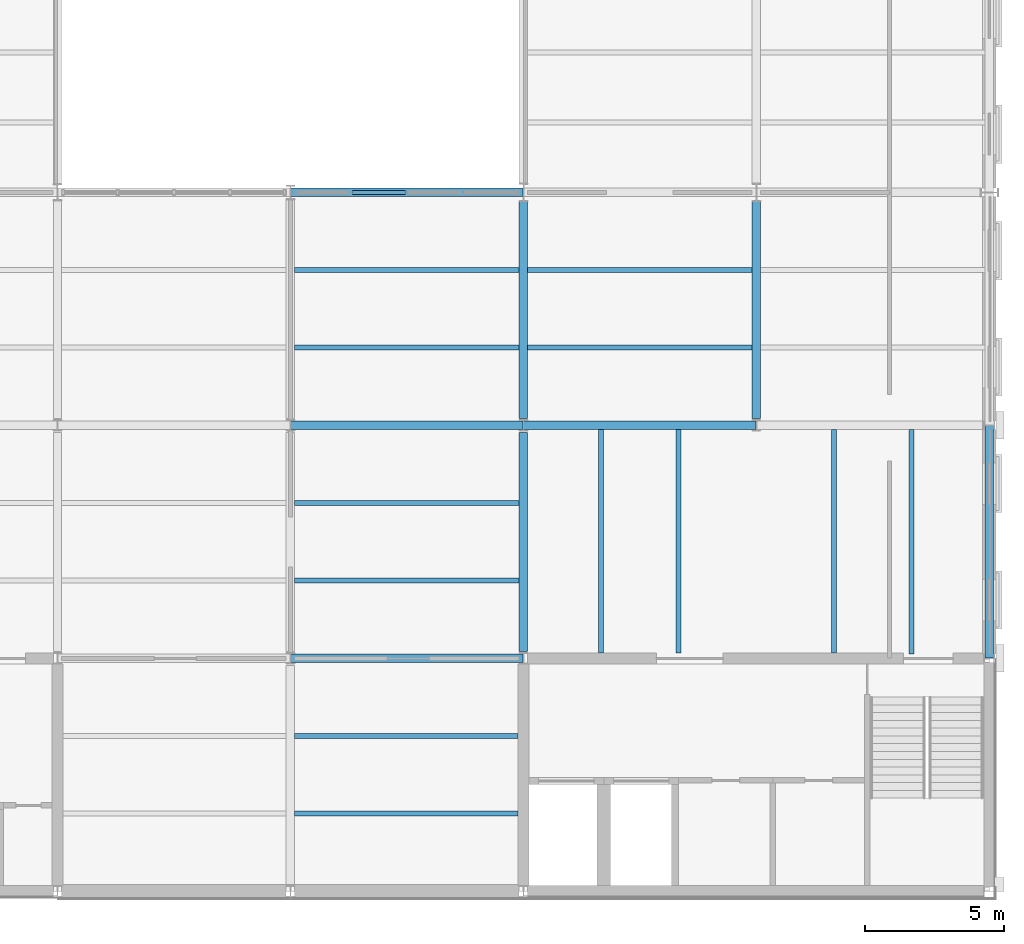
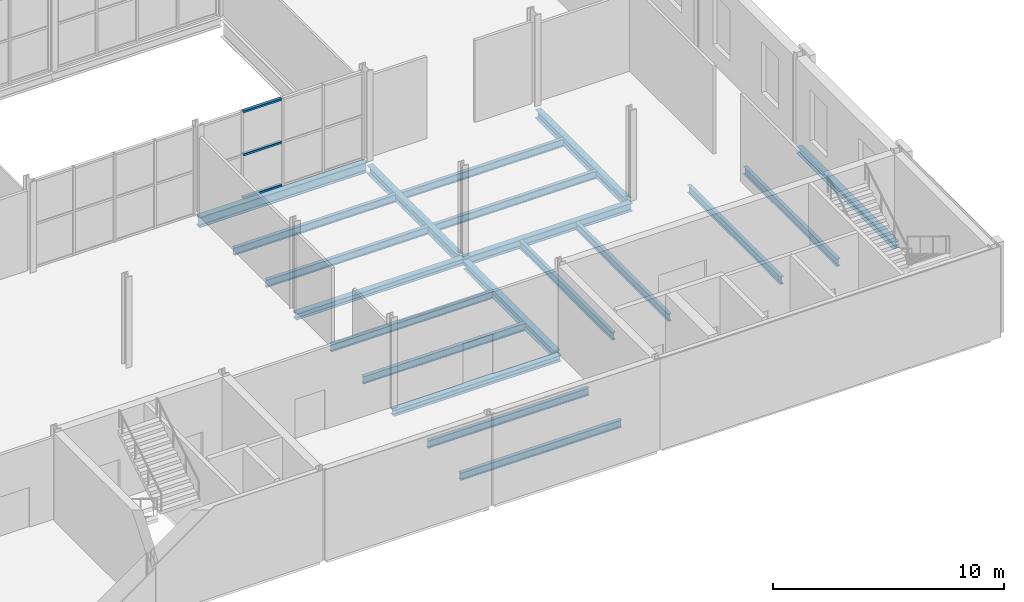
# One storey, part 19 of 52: 20 beams, 3 members, 1 element without a shape of its own.
"""IFC4 building model written with IfcOpenShell, lengths in metres."""

from ifc_helpers import new_model, si_unit, direction, frame, origin, origin_2d, place, context, subcontext, project, spatial, hollow_rectangle, i_section, extrude, material, layer, layer_set, material_profile, profile_set, type_object, element, aggregate, save


model = new_model("IFC4")

# Units and contexts
model_context = context("Model", 3, precision=1e-05, world=origin(), true_north=direction((0.0, 1.0)))
body_context = subcontext(model_context, "Body", "Model", "MODEL_VIEW")
ifc_project = project(units=[si_unit("LENGTHUNIT", "METRE"), si_unit("AREAUNIT", "SQUARE_METRE"), si_unit("VOLUMEUNIT", "CUBIC_METRE"), si_unit("PLANEANGLEUNIT", "RADIAN"), si_unit("MASSUNIT", "GRAM", prefix="KILO")], contexts=[model_context])

# Site, building, storey
site_placement = place(None, origin())
site = spatial("IfcSite", under=ifc_project, at=site_placement, CompositionType="ELEMENT")
building_placement = place(site_placement, origin())
building = spatial("IfcBuilding", under=site, at=building_placement, Name="Galleria Vessillo Department Store", CompositionType="ELEMENT")
storey_placement = place(building_placement, frame((0.0, 0.0, 16.199951171875)))
storey = spatial("IfcBuildingStorey", under=building, at=storey_placement, Name="L03", CompositionType="ELEMENT", Elevation=16.199951171875)

# Beams
ifc_material_1 = material(Name="Steel S355 J2", Category="steel")
ifc_material_profile_1 = material_profile(ifc_material_1, i_section(OverallWidth=0.300048828125, OverallDepth=0.43994140625, WebThickness=0.011474609375, FlangeThickness=0.02099609375, FilletRadius=0.027099609375, at=origin_2d()), Name="HEA 450")
ifc_profile_set_1 = profile_set([ifc_material_profile_1], Name="Steel S355 J2")
beam_type_1 = type_object("IfcBeamType", Name="Floor girder HEA 450", PredefinedType="BEAM", material=ifc_profile_set_1)
beam_1_placement = place(storey_placement, frame((100.807373046875, 16.800048828125, -0.369873046875), z_axis=(1.0, 0.0, 0.0), x_axis=(0.0, 1.0, 0.0)))
element("IfcBeam", 1, at=beam_1_placement, inside=storey, type_object=beam_type_1, Name="S-BM-L03-GI-x16800-100807", PredefinedType="BEAM", context=body_context, shape_type="SweptSolid", body=[
    extrude(i_section(OverallWidth=0.300048828125, OverallDepth=0.43994140625, WebThickness=0.011474609375, FlangeThickness=0.02099609375, FilletRadius=0.027099609375, at=origin_2d()), origin(), (0.0, 0.0, 1.0), 8.38525390625),
])
beam_2_placement = place(storey_placement, frame((100.800048828125, 8.650146484375, -0.369873046875), z_axis=(0.0, 1.0, 0.0), x_axis=(-1.0, 0.0, 0.0)))
element("IfcBeam", 2, at=beam_2_placement, inside=storey, type_object=beam_type_1, Name="S-BM-L03-GI-y100800-8650", PredefinedType="BEAM", context=body_context, shape_type="SweptSolid", body=[
    extrude(i_section(OverallWidth=0.300048828125, OverallDepth=0.43994140625, WebThickness=0.011474609375, FlangeThickness=0.02099609375, FilletRadius=0.027099609375, at=origin_2d()), origin(), (0.0, 0.0, 1.0), 7.899658203125),
])
for number, where, z_axis, x_axis, name in (
    (3, (100.800048828125, 17.050048828125, -0.369873046875), (0.0, 1.0, 0.0), (-1.0, 0.0, 0.0), "S-BM-L03-GI-y100800-17050"),
    (4, (109.199951171875, 17.050048828125, -0.369873046875), (0.0, 1.0, 0.0), (-1.0, 0.0, 0.0), "S-BM-L03-GI-y109200-17050"),
):
    element("IfcBeam", number, at=place(storey_placement, frame(where, z_axis=z_axis, x_axis=x_axis)), inside=storey, type_object=beam_type_1, Name=name, PredefinedType="BEAM", context=body_context, shape_type="SweptSolid", body=[
        extrude(i_section(OverallWidth=0.300048828125, OverallDepth=0.43994140625, WebThickness=0.011474609375, FlangeThickness=0.02099609375, FilletRadius=0.027099609375, at=origin_2d()), origin(), (0.0, 0.0, 1.0), 7.81591796875),
    ])
ifc_material_2 = material(Name="Steel S355 J2", Category="steel")
ifc_material_profile_2 = material_profile(ifc_material_2, i_section(OverallWidth=0.179931640625, OverallDepth=0.39990234375, WebThickness=0.008544921875, FlangeThickness=0.013427734375, FilletRadius=0.02099609375, at=origin_2d()), Name="IPE 400")
ifc_profile_set_2 = profile_set([ifc_material_profile_2], Name="Steel S355 J2")
beam_type_2 = type_object("IfcBeamType", Name="Floor joist IPE 400", PredefinedType="JOIST", material=ifc_profile_set_2)
for number, where, z_axis, x_axis, name in (
    (5, (92.550048828125, 2.800048828125, -0.349853515625), (1.0, 0.0, 0.0), (0.0, 1.0, 0.0), "S-BM-L03-JO-x2800-92550"),
    (6, (92.550048828125, 5.60009765625, -0.349853515625), (1.0, 0.0, 0.0), (0.0, 1.0, 0.0), "S-BM-L03-JO-x5600-92550"),
):
    element("IfcBeam", number, at=place(storey_placement, frame(where, z_axis=z_axis, x_axis=x_axis)), inside=storey, type_object=beam_type_2, Name=name, PredefinedType="JOIST", context=body_context, shape_type="SweptSolid", body=[
        extrude(i_section(OverallWidth=0.179931640625, OverallDepth=0.39990234375, WebThickness=0.008544921875, FlangeThickness=0.013427734375, FilletRadius=0.02099609375, at=origin_2d()), origin(), (0.0, 0.0, 1.0), 8.0498046875),
    ])
for number, where, z_axis, x_axis, name in (
    (7, (92.550048828125, 11.199951171875, -0.349853515625), (1.0, 0.0, 0.0), (0.0, 1.0, 0.0), "S-BM-L03-JO-x11200-92550"),
    (8, (92.550048828125, 14.0, -0.349853515625), (1.0, 0.0, 0.0), (0.0, 1.0, 0.0), "S-BM-L03-JO-x14000-92550"),
    (9, (92.550048828125, 19.60009765625, -0.349853515625), (1.0, 0.0, 0.0), (0.0, 1.0, 0.0), "S-BM-L03-JO-x19600-92550"),
    (10, (92.550048828125, 22.39990234375, -0.349853515625), (1.0, 0.0, 0.0), (0.0, 1.0, 0.0), "S-BM-L03-JO-x22400-92550"),
):
    element("IfcBeam", number, at=place(storey_placement, frame(where, z_axis=z_axis, x_axis=x_axis)), inside=storey, type_object=beam_type_2, Name=name, PredefinedType="JOIST", context=body_context, shape_type="SweptSolid", body=[
        extrude(i_section(OverallWidth=0.179931640625, OverallDepth=0.39990234375, WebThickness=0.008544921875, FlangeThickness=0.013427734375, FilletRadius=0.02099609375, at=origin_2d()), origin(), (0.0, 0.0, 1.0), 8.099853515625),
    ])
for number, where, z_axis, x_axis, name in (
    (11, (103.60009765625, 8.60009765625, -0.349853515625), (0.0, 1.0, 0.0), (-1.0, 0.0, 0.0), "S-BM-L03-JO-y103600-8600"),
    (12, (106.39990234375, 8.60009765625, -0.349853515625), (0.0, 1.0, 0.0), (-1.0, 0.0, 0.0), "S-BM-L03-JO-y106400-8600"),
):
    element("IfcBeam", number, at=place(storey_placement, frame(where, z_axis=z_axis, x_axis=x_axis)), inside=storey, type_object=beam_type_2, Name=name, PredefinedType="JOIST", context=body_context, shape_type="SweptSolid", body=[
        extrude(i_section(OverallWidth=0.179931640625, OverallDepth=0.39990234375, WebThickness=0.008544921875, FlangeThickness=0.013427734375, FilletRadius=0.02099609375, at=origin_2d()), origin(), (0.0, 0.0, 1.0), 8.0498046875),
    ])
for number, where, z_axis, x_axis, name in (
    (13, (100.9501953125, 19.60009765625, -0.349853515625), (1.0, 0.0, 0.0), (0.0, 1.0, 0.0), "S-BM-L03-JO-x19600-100950"),
    (14, (100.9501953125, 22.39990234375, -0.349853515625), (1.0, 0.0, 0.0), (0.0, 1.0, 0.0), "S-BM-L03-JO-x22400-100950"),
):
    element("IfcBeam", number, at=place(storey_placement, frame(where, z_axis=z_axis, x_axis=x_axis)), inside=storey, type_object=beam_type_2, Name=name, PredefinedType="JOIST", context=body_context, shape_type="SweptSolid", body=[
        extrude(i_section(OverallWidth=0.179931640625, OverallDepth=0.39990234375, WebThickness=0.008544921875, FlangeThickness=0.013427734375, FilletRadius=0.02099609375, at=origin_2d()), origin(), (0.0, 0.0, 1.0), 8.099609375),
    ])
beam_3_placement = place(storey_placement, frame((112.0, 8.60009765625, -0.349853515625), z_axis=(0.0, 1.0, 0.0), x_axis=(-1.0, 0.0, 0.0)))
element("IfcBeam", 15, at=beam_3_placement, inside=storey, type_object=beam_type_2, Name="S-BM-L03-JO-y112000-8600", PredefinedType="JOIST", context=body_context, shape_type="SweptSolid", body=[
    extrude(i_section(OverallWidth=0.179931640625, OverallDepth=0.39990234375, WebThickness=0.008544921875, FlangeThickness=0.013427734375, FilletRadius=0.02099609375, at=origin_2d()), origin(), (0.0, 0.0, 1.0), 8.0498046875),
])
beam_4_placement = place(storey_placement, frame((114.800048828125, 8.550048828125, -0.349853515625), z_axis=(0.0, 1.0, 0.0), x_axis=(-1.0, 0.0, 0.0)))
element("IfcBeam", 16, at=beam_4_placement, inside=storey, type_object=beam_type_2, Name="S-BM-L03-JO-y114800-8550", PredefinedType="JOIST", context=body_context, shape_type="SweptSolid", body=[
    extrude(i_section(OverallWidth=0.179931640625, OverallDepth=0.39990234375, WebThickness=0.008544921875, FlangeThickness=0.013427734375, FilletRadius=0.02099609375, at=origin_2d()), origin(), (0.0, 0.0, 1.0), 8.099853515625),
])
ifc_material_3 = material(Name="Steel S355 J2", Category="steel")
ifc_material_profile_3 = material_profile(ifc_material_3, i_section(OverallWidth=0.300048828125, OverallDepth=0.330078125, WebThickness=0.009521484375, FlangeThickness=0.0166015625, FilletRadius=0.027099609375, at=origin_2d()), Name="HEA 340")
ifc_profile_set_3 = profile_set([ifc_material_profile_3], Name="Steel S355 J2")
beam_type_3 = type_object("IfcBeamType", Name="Floor tie girder HEA 340", PredefinedType="BEAM", material=ifc_profile_set_3)
for number, where, z_axis, x_axis, name in (
    (17, (92.407470703125, 8.39990234375, -0.31494140625), (1.0, 0.0, 0.0), (0.0, 1.0, 0.0), "S-BM-L03-TI-x8400-92407"),
    (18, (92.407470703125, 16.800048828125, -0.31494140625), (1.0, 0.0, 0.0), (0.0, 1.0, 0.0), "S-BM-L03-TI-x16800-92407"),
):
    element("IfcBeam", number, at=place(storey_placement, frame(where, z_axis=z_axis, x_axis=x_axis)), inside=storey, type_object=beam_type_3, Name=name, PredefinedType="BEAM", context=body_context, shape_type="SweptSolid", body=[
        extrude(i_section(OverallWidth=0.300048828125, OverallDepth=0.330078125, WebThickness=0.009521484375, FlangeThickness=0.0166015625, FilletRadius=0.027099609375, at=origin_2d()), origin(), (0.0, 0.0, 1.0), 8.38525390625),
    ])
ifc_material_4 = material(Name="Steel S355 J2", Category="steel")
ifc_material_profile_4 = material_profile(ifc_material_4, i_section(OverallWidth=0.300048828125, OverallDepth=0.35009765625, WebThickness=0.010009765625, FlangeThickness=0.017578125, FilletRadius=0.027099609375, at=origin_2d()), Name="HEA 360")
ifc_profile_set_4 = profile_set([ifc_material_profile_4], Name="Steel S355 J2")
beam_type_4 = type_object("IfcBeamType", Name="Spandrel beam HEA 360", PredefinedType="SPANDREL", material=ifc_profile_set_4)
beam_5_placement = place(storey_placement, frame((117.60009765625, 8.407470703125, -0.324951171875), z_axis=(0.0, 1.0, 0.0), x_axis=(-1.0, 0.0, 0.0)))
element("IfcBeam", 19, at=beam_5_placement, inside=storey, type_object=beam_type_4, Name="S-BM-L03-SP-y117600-8407", PredefinedType="SPANDREL", context=body_context, shape_type="SweptSolid", body=[
    extrude(i_section(OverallWidth=0.300048828125, OverallDepth=0.35009765625, WebThickness=0.010009765625, FlangeThickness=0.017578125, FilletRadius=0.027099609375, at=origin_2d()), origin(), (0.0, 0.0, 1.0), 8.38525390625),
])

# Curtain wall, members
ifc_material_5 = material(Name="Steel and fire-resisting glass curtain wall", Category="steel")
ifc_layer = layer(ifc_material_5, 0.199951171875)
ifc_layer_set = layer_set([ifc_layer], Name="Steel and fire-resisting glass curtain wall")
curtain_wall_type = type_object("IfcCurtainWallType", Name="Arcade fire-resisting glazed shopfront EI 120-Sa", PredefinedType="NOTDEFINED", material=ifc_layer_set)
curtain_wall_placement = place(storey_placement, origin())
curtain_wall = element("IfcCurtainWall", 20, at=curtain_wall_placement, inside=storey, type_object=curtain_wall_type, Name="Arcade fire-resisting glazed shopfront EI 120-Sa AI-AE-S-L03-02", PredefinedType="NOTDEFINED")
ifc_material_6 = material(Name="Steel S355 J2", Category="steel")
ifc_material_profile_5 = material_profile(ifc_material_6, hollow_rectangle(XDim=0.14990234375, YDim=0.10009765625, WallThickness=0.008056640625, at=origin_2d()), Name="RHS 150x100x8")
ifc_profile_set_5 = profile_set([ifc_material_profile_5], Name="Steel S355 J2")
member_type = type_object("IfcMemberType", Name="Steel transom RHS 150x100x8", PredefinedType="USERDEFINED", material=ifc_profile_set_5)
member_1_placement = place(storey_placement, frame((94.626708984375, 25.199951171875, 0.050048828125), z_axis=(1.0, 0.0, 0.0), x_axis=(0.0, 1.0, 0.0)))
member_1 = element("IfcMember", 21, at=member_1_placement, type_object=member_type, Name="CW7 transom 2.1", ObjectType="TRANSOM", PredefinedType="USERDEFINED", context=body_context, shape_type="SweptSolid", body=[
    extrude(hollow_rectangle(XDim=0.14990234375, YDim=0.10009765625, WallThickness=0.008056640625, at=origin_2d()), origin(), (0.0, 0.0, 1.0), 1.923583984375),
])
member_2_placement = place(storey_placement, frame((94.626708984375, 25.199951171875, 2.324951171875), z_axis=(1.0, 0.0, 0.0), x_axis=(0.0, 1.0, 0.0)))
member_2 = element("IfcMember", 22, at=member_2_placement, type_object=member_type, Name="CW7 transom 2.2", ObjectType="TRANSOM", PredefinedType="USERDEFINED", context=body_context, shape_type="SweptSolid", body=[
    extrude(hollow_rectangle(XDim=0.14990234375, YDim=0.10009765625, WallThickness=0.008056640625, at=origin_2d()), origin(), (0.0, 0.0, 1.0), 1.923583984375),
])
member_3_placement = place(storey_placement, frame((94.626708984375, 25.199951171875, 4.60009765625), z_axis=(1.0, 0.0, 0.0), x_axis=(0.0, 1.0, 0.0)))
member_3 = element("IfcMember", 23, at=member_3_placement, type_object=member_type, Name="CW7 transom 2.3", ObjectType="TRANSOM", PredefinedType="USERDEFINED", context=body_context, shape_type="SweptSolid", body=[
    extrude(hollow_rectangle(XDim=0.14990234375, YDim=0.10009765625, WallThickness=0.008056640625, at=origin_2d()), origin(), (0.0, 0.0, 1.0), 1.923583984375),
])
aggregate(curtain_wall, [member_1, member_2, member_3])

# Beam
ifc_material_7 = material(Name="Steel S355 J2", Category="steel")
ifc_material_profile_6 = material_profile(ifc_material_7, i_section(OverallWidth=0.300048828125, OverallDepth=0.5400390625, WebThickness=0.012451171875, FlangeThickness=0.02392578125, FilletRadius=0.027099609375, at=origin_2d()), Name="HEA 550")
ifc_profile_set_6 = profile_set([ifc_material_profile_6], Name="Steel S355 J2")
beam_type_5 = type_object("IfcBeamType", Name="Trimmer beam HEA 550", PredefinedType="BEAM", material=ifc_profile_set_6)
beam_6_placement = place(storey_placement, frame((92.41064453125, 25.199951171875, -0.419921875), z_axis=(1.0, 0.0, 0.0), x_axis=(0.0, 1.0, 0.0)))
element("IfcBeam", 24, at=beam_6_placement, inside=storey, type_object=beam_type_5, Name="S-BM-L03-TR-x25200-92411", PredefinedType="BEAM", context=body_context, shape_type="SweptSolid", body=[
    extrude(i_section(OverallWidth=0.300048828125, OverallDepth=0.5400390625, WebThickness=0.012451171875, FlangeThickness=0.02392578125, FilletRadius=0.027099609375, at=origin_2d()), origin(), (0.0, 0.0, 1.0), 8.378662109375),
])

save(model, "model.ifc")
